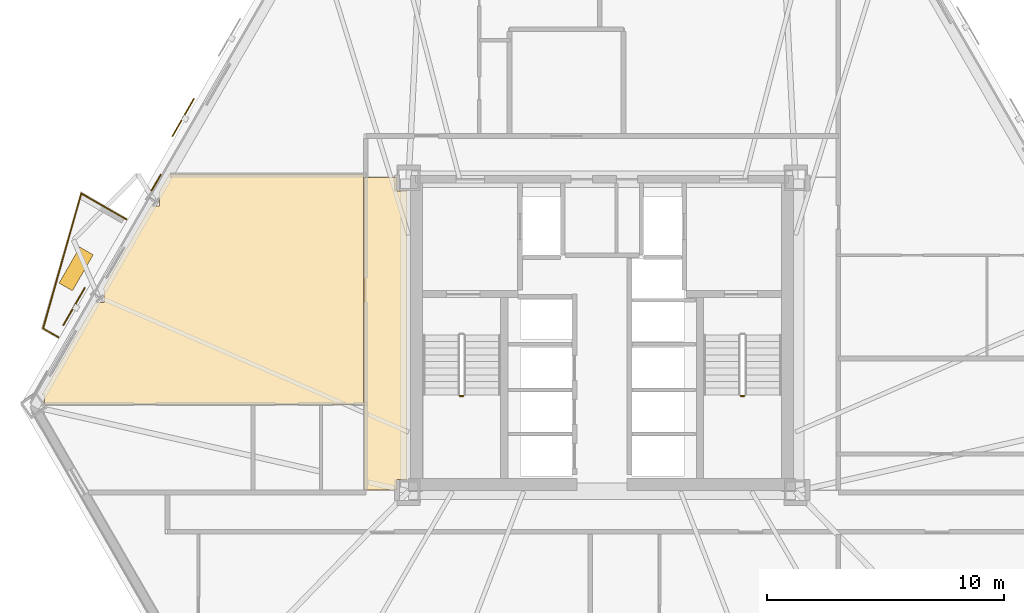
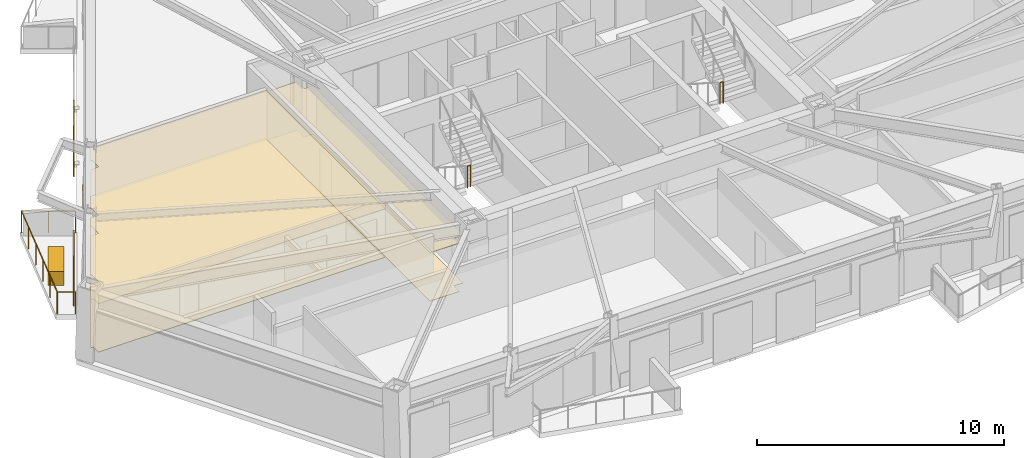
# One storey, part 8 of 10: 6 coverings, 5 railings, 2 shading devices.
"""IFC4 building model written with IfcOpenShell, lengths in metres."""

from ifc_helpers import new_model, si_unit, direction, frame, origin, origin_2d, place, context, subcontext, project, spatial, polyline, rectangle, circle, outline, extrude, material, layer, layer_set, type_object, element, save


model = new_model("IFC4")

# Units and contexts
model_context = context("Model", 3, precision=1e-05, world=origin(), true_north=direction((0.0, 1.0)))
body_context = subcontext(model_context, "Body", "Model", "MODEL_VIEW")
ifc_project = project(units=[si_unit("LENGTHUNIT", "METRE"), si_unit("AREAUNIT", "SQUARE_METRE"), si_unit("VOLUMEUNIT", "CUBIC_METRE"), si_unit("PLANEANGLEUNIT", "RADIAN"), si_unit("MASSUNIT", "GRAM", prefix="KILO")], contexts=[model_context])

# Site, building, storey
site_placement = place(None, origin())
site = spatial("IfcSite", under=ifc_project, at=site_placement, CompositionType="ELEMENT")
building_placement = place(site_placement, origin())
building = spatial("IfcBuilding", under=site, at=building_placement, Name="Oramaril Tower", CompositionType="ELEMENT")
storey_placement = place(building_placement, frame((0.0, 0.0, 52.5)))
storey = spatial("IfcBuildingStorey", under=building, at=storey_placement, Name="L13", CompositionType="ELEMENT", Elevation=52.5)

# Coverings
ifc_material_1 = material(Name="Mineral Fibre Acoustic Ceiling")
ifc_layer_1 = layer(ifc_material_1, 0.02001953125)
ifc_layer_set_1 = layer_set([ifc_layer_1], Name="CVT-CEIL")
covering_type_1 = type_object("IfcCoveringType", Name="CVT-CEIL", PredefinedType="CEILING", material=ifc_layer_set_1)
covering_1_placement = place(storey_placement, frame((0.0, 0.0, 2.39990234375)))
element("IfcCovering", 1, at=covering_1_placement, inside=storey, type_object=covering_type_1, Name="L13 Acoustic Suspended Ceiling 3", PredefinedType="CEILING", context=body_context, shape_type="SweptSolid", body=[
    extrude(outline(polyline([(28.85498046875, 23.655029296875), (29.280029296875, 23.655029296875), (29.280029296875, 11.4951171875), (28.85498046875, 11.4951171875), (28.85498046875, 11.050048828125), (27.469970703125, 11.050048828125), (27.469970703125, 24.219970703125), (28.85498046875, 24.219970703125), (28.85498046875, 23.655029296875)])), origin(), (0.0, 0.0, 1.0), 0.02001953125),
])
covering_2_placement = place(storey_placement, frame((0.0, 0.0, 2.39990234375)))
element("IfcCovering", 2, at=covering_2_placement, inside=storey, type_object=covering_type_1, Name="L13 Acoustic Suspended Ceiling 10", PredefinedType="CEILING", context=body_context, shape_type="SweptSolid", body=[
    extrude(outline(polyline([(14.024169921875, 14.651611328125), (14.024169921875, 15.067626953125), (13.908935546875, 15.067626953125), (16.15771484375, 18.962646484375), (16.5205078125, 18.962646484375), (16.5205078125, 19.512939453125), (16.4755859375, 19.512939453125), (18.502197265625, 23.023681640625), (18.865234375, 23.023681640625), (18.865234375, 23.562744140625), (18.8134765625, 23.562744140625), (19.27490234375, 24.362060546875), (27.449951171875, 24.362060546875), (27.449951171875, 24.239990234375), (27.4501953125, 24.238037109375), (27.450439453125, 24.236083984375), (27.450927734375, 24.234130859375), (27.451416015625, 24.232421875), (27.452392578125, 24.230712890625), (27.45263671875, 24.22998046875), (27.452392578125, 24.2294921875), (27.451416015625, 24.227783203125), (27.450927734375, 24.225830078125), (27.450439453125, 24.223876953125), (27.4501953125, 24.221923828125), (27.449951171875, 24.219970703125), (27.449951171875, 14.651611328125), (14.024169921875, 14.651611328125)])), origin(), (0.0, 0.0, 1.0), 0.02001953125),
])
ifc_material_2 = material(Name="Warm Cream Limestone", Category="masonry")
ifc_layer_2 = layer(ifc_material_2, 0.050048828125)
ifc_layer_set_2 = layer_set([ifc_layer_2], Name="CVT-CLD")
covering_type_2 = type_object("IfcCoveringType", Name="CVT-CLD", PredefinedType="CLADDING", material=ifc_layer_set_2)
covering_3_placement = place(storey_placement, frame((18.718994140625, 24.000732421875, 0.0400390625), z_axis=(0.0, 0.0, 1.0), x_axis=(-0.5, -0.866025403784, 0.0)))
element("IfcCovering", 3, at=covering_3_placement, inside=storey, type_object=covering_type_2, Name="L13 Warm Cream Limestone Spandrel Cladding", PredefinedType="CLADDING", context=body_context, shape_type="SweptSolid", body=[
    extrude(rectangle(XDim=0.800048828125, YDim=0.050048828125, at=origin_2d()), origin(), (0.0, 0.0, 1.0), 0.679931640625),
])
covering_4_placement = place(storey_placement, frame((15.3486328125, 20.370361328125, 0.0), z_axis=(0.0, 0.0, 1.0), x_axis=(-0.500001511499, -0.866024531118, 0.0)))
element("IfcCovering", 4, at=covering_4_placement, inside=storey, type_object=covering_type_2, Name="L13 Structural Tree Planter Box L13-BAL-NW2", PredefinedType="CLADDING", context=body_context, shape_type="SweptSolid", body=[
    extrude(rectangle(XDim=1.75, YDim=0.64990234375, at=origin_2d()), origin(), (0.0, 0.0, 1.0), 0.699951171875),
])
ifc_material_3 = material(Name="Honed Quartzite Stone Flooring", Category="masonry")
ifc_layer_3 = layer(ifc_material_3, 0.02490234375)
ifc_layer_set_3 = layer_set([ifc_layer_3], Name="CVT-FLR")
covering_type_3 = type_object("IfcCoveringType", Name="CVT-FLR", PredefinedType="FLOORING", material=ifc_layer_set_3)
covering_5_placement = place(storey_placement, origin())
element("IfcCovering", 5, at=covering_5_placement, inside=storey, type_object=covering_type_3, Name="L13 Honed Stone Floor Finish 3", PredefinedType="FLOORING", context=body_context, shape_type="SweptSolid", body=[
    extrude(outline(polyline([(28.85498046875, 23.655029296875), (29.280029296875, 23.655029296875), (29.280029296875, 11.4951171875), (28.85498046875, 11.4951171875), (28.85498046875, 11.050048828125), (27.469970703125, 11.050048828125), (27.469970703125, 24.219970703125), (28.85498046875, 24.219970703125), (28.85498046875, 23.655029296875)])), origin(), (0.0, 0.0, 1.0), 0.02490234375),
])
covering_6_placement = place(storey_placement, origin())
element("IfcCovering", 6, at=covering_6_placement, inside=storey, type_object=covering_type_3, Name="L13 Honed Stone Floor Finish 10", PredefinedType="FLOORING", context=body_context, shape_type="SweptSolid", body=[
    extrude(outline(polyline([(14.024169921875, 14.651611328125), (14.024169921875, 15.067626953125), (13.908935546875, 15.067626953125), (16.15771484375, 18.962646484375), (16.5205078125, 18.962646484375), (16.5205078125, 19.512939453125), (16.4755859375, 19.512939453125), (18.502197265625, 23.023681640625), (18.865234375, 23.023681640625), (18.865234375, 23.562744140625), (18.8134765625, 23.562744140625), (19.27490234375, 24.362060546875), (27.449951171875, 24.362060546875), (27.449951171875, 24.239990234375), (27.4501953125, 24.238037109375), (27.450439453125, 24.236083984375), (27.450927734375, 24.234130859375), (27.451416015625, 24.232421875), (27.452392578125, 24.230712890625), (27.45263671875, 24.22998046875), (27.452392578125, 24.2294921875), (27.451416015625, 24.227783203125), (27.450927734375, 24.225830078125), (27.450439453125, 24.223876953125), (27.4501953125, 24.221923828125), (27.449951171875, 24.219970703125), (27.449951171875, 14.651611328125), (14.024169921875, 14.651611328125)])), origin(), (0.0, 0.0, 1.0), 0.02490234375),
])

# Railings
ifc_material_4 = material(Name="Stainless Steel 316L", Category="steel")
railing_type = type_object("IfcRailingType", Name="RLT-GRD", PredefinedType="GUARDRAIL", material=ifc_material_4)
railing_1_placement = place(storey_placement, frame((14.59912109375, 17.4951171875, 0.0)))
element("IfcRailing", 7, at=railing_1_placement, inside=storey, type_object=railing_type, Name="L13 Balcony Guardrail L13-BAL-NW2.1", PredefinedType="GUARDRAIL", context=body_context, shape_type="SweptSolid", body=[
    extrude(circle(Radius=0.02392578125, at=origin_2d()), frame((0.0, 0.0, 1.076171875), z_axis=(-0.866108878364, 0.499855389907, 0.0), x_axis=(-0.499855389907, -0.866108878364, 0.0)), (0.0, 0.0, 1.0), 0.741943359375),
    extrude(circle(Radius=0.02099609375, at=origin_2d()), origin(), (0.0, 0.0, 1.0), 1.052001953125),
    extrude(circle(Radius=0.02099609375, at=origin_2d()), frame((-0.642578125, 0.370849609375, 0.0)), (0.0, 0.0, 1.0), 1.052001953125),
])
railing_2_placement = place(storey_placement, frame((13.95654296875, 17.865966796875, 0.0)))
element("IfcRailing", 8, at=railing_2_placement, inside=storey, type_object=railing_type, Name="L13 Balcony Guardrail L13-BAL-NW2.2", PredefinedType="GUARDRAIL", context=body_context, shape_type="SweptSolid", body=[
    extrude(circle(Radius=0.02392578125, at=origin_2d()), frame((0.0, 0.0, 1.076171875), z_axis=(0.27224886544, 0.962226873074, 0.0), x_axis=(-0.962226873074, 0.27224886544, 0.0)), (0.0, 0.0, 1.0), 5.910400390625),
    extrude(circle(Radius=0.02099609375, at=origin_2d()), origin(), (0.0, 0.0, 1.0), 1.052001953125),
    extrude(circle(Radius=0.02099609375, at=origin_2d()), frame((0.32177734375, 1.137451171875, 0.0)), (0.0, 0.0, 1.0), 1.052001953125),
    extrude(circle(Radius=0.02099609375, at=origin_2d()), frame((0.6435546875, 2.27490234375, 0.0)), (0.0, 0.0, 1.0), 1.052001953125),
    extrude(circle(Radius=0.02099609375, at=origin_2d()), frame((0.965576171875, 3.412353515625, 0.0)), (0.0, 0.0, 1.0), 1.052001953125),
    extrude(circle(Radius=0.02099609375, at=origin_2d()), frame((1.287353515625, 4.5498046875, 0.0)), (0.0, 0.0, 1.0), 1.052001953125),
    extrude(circle(Radius=0.02099609375, at=origin_2d()), frame((1.609130859375, 5.687255859375, 0.0)), (0.0, 0.0, 1.0), 1.052001953125),
])
railing_3_placement = place(storey_placement, frame((15.565673828125, 23.55322265625, 0.0)))
element("IfcRailing", 9, at=railing_3_placement, inside=storey, type_object=railing_type, Name="L13 Balcony Guardrail L13-BAL-NW2.3", PredefinedType="GUARDRAIL", context=body_context, shape_type="SweptSolid", body=[
    extrude(circle(Radius=0.02392578125, at=origin_2d()), frame((0.0, 0.0, 1.076171875), z_axis=(0.866048343933, -0.499960264392, 0.0), x_axis=(0.499960264392, 0.866048343933, 0.0)), (0.0, 0.0, 1.0), 2.192138671875),
    extrude(circle(Radius=0.02099609375, at=origin_2d()), origin(), (0.0, 0.0, 1.0), 1.052001953125),
    extrude(circle(Radius=0.02099609375, at=origin_2d()), frame((0.94921875, -0.5478515625, 0.0)), (0.0, 0.0, 1.0), 1.052001953125),
    extrude(circle(Radius=0.02099609375, at=origin_2d()), frame((1.8984375, -1.095947265625, 0.0)), (0.0, 0.0, 1.0), 1.052001953125),
])
for number, where, name in (
    (10, (31.510009765625, 15.02001953125, 1.800048828125), "L13 ST-1 stair guard 2"),
    (11, (43.340087890625, 15.02001953125, 1.800048828125), "L13 ST-2 stair guard 2"),
):
    element("IfcRailing", number, at=place(storey_placement, frame(where)), inside=storey, type_object=railing_type, Name=name, PredefinedType="GUARDRAIL", context=body_context, shape_type="SweptSolid", body=[
        extrude(circle(Radius=0.02392578125, at=origin_2d()), frame((0.0, 0.0, 1.076171875), z_axis=(1.0, 0.0, 0.0), x_axis=(0.0, 1.0, 0.0)), (0.0, 0.0, 1.0), 0.14990234375),
        extrude(circle(Radius=0.02099609375, at=origin_2d()), origin(), (0.0, 0.0, 1.0), 1.052001953125),
        extrude(circle(Radius=0.02099609375, at=origin_2d()), frame((0.14990234375, 0.0, 0.0)), (0.0, 0.0, 1.0), 1.052001953125),
    ])

# Shading devices
for number, where, z_axis, x_axis, name in (
    (12, (15.26220703125, 18.787353515625, -0.02001953125), (0.0, 0.0, 1.0), (-0.5, -0.866025403784, 0.0), "L13 Perforated Ceramic Solar Screen"),
    (13, (19.858154296875, 26.747802734375, -0.02001953125), (0.0, 0.0, 1.0), (-0.5, -0.866025403784, 0.0), "L13 Perforated Ceramic Solar Screen"),
):
    element("IfcShadingDevice", number, at=place(storey_placement, frame(where, z_axis=z_axis, x_axis=x_axis)), inside=storey, Name=name, ObjectType="SCREEN", PredefinedType="USERDEFINED", context=body_context, shape_type="SweptSolid", body=[
        extrude(rectangle(XDim=1.8330078125, YDim=0.050048828125, at=origin_2d()), origin(), (0.0, 0.0, 1.0), 2.493896484375),
    ])

save(model, "model.ifc")
